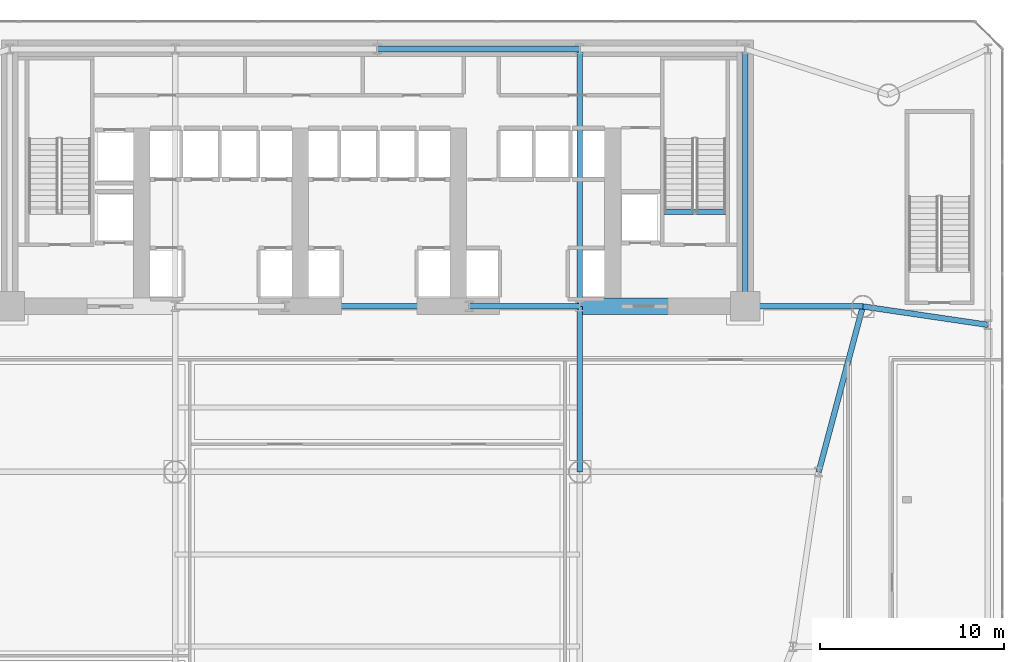
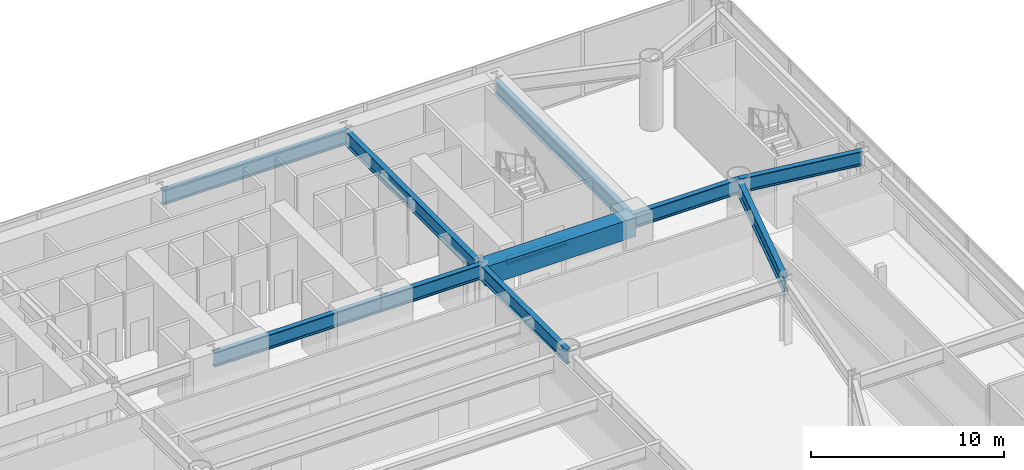
# One storey, part 8 of 24: 11 beams.
"""IFC4 building model written with IfcOpenShell, lengths in metres."""

from ifc_helpers import new_model, si_unit, direction, frame, origin, origin_2d, place, context, subcontext, project, spatial, rectangle, i_section, extrude, source, transform, mapped, material, material_profile, profile_set, type_object, element, save


model = new_model("IFC4")

# Units and contexts
model_context = context("Model", 3, precision=1e-05, world=origin(), true_north=direction((0.0, 1.0)))
body_context = subcontext(model_context, "Body", "Model", "MODEL_VIEW")
ifc_project = project(units=[si_unit("LENGTHUNIT", "METRE"), si_unit("AREAUNIT", "SQUARE_METRE"), si_unit("VOLUMEUNIT", "CUBIC_METRE"), si_unit("PLANEANGLEUNIT", "RADIAN"), si_unit("MASSUNIT", "GRAM", prefix="KILO")], contexts=[model_context])

# Site, building, storey
site_placement = place(None, origin())
site = spatial("IfcSite", under=ifc_project, at=site_placement, CompositionType="ELEMENT")
building_placement = place(site_placement, origin())
building = spatial("IfcBuilding", under=site, at=building_placement, Name="Vaeldorn Concourse Tower", CompositionType="ELEMENT")
storey_placement = place(building_placement, frame((0.0, 0.0, 10.0)))
storey = spatial("IfcBuildingStorey", under=building, at=storey_placement, Name="L02", CompositionType="ELEMENT", Elevation=10.0)

# Beams
ifc_material_1 = material(Name="Concrete C60/75", Category="concrete")
ifc_material_profile_1 = material_profile(ifc_material_1, rectangle(XDim=0.89990234375, YDim=1.199951171875, at=origin_2d()), Name="RC 900x1200")
ifc_profile_set_1 = profile_set([ifc_material_profile_1], Name="Concrete C60/75")
beam_type_1 = type_object("IfcBeamType", Name="BM-CB-RC900", PredefinedType="BEAM", material=ifc_profile_set_1)
shared_shape_1 = source(origin(), body_context, "Body", "SweptSolid", [
    extrude(rectangle(XDim=0.89990234375, YDim=1.199951171875, at=origin_2d()), origin(), (0.0, 0.0, 1.0), 9.0),
])
beam_1_placement = place(storey_placement, frame((45.0, 36.5, 3.52001953125), z_axis=(1.0, 0.0, 0.0), x_axis=(0.0, 1.0, 0.0)))
element("IfcBeam", 1, at=beam_1_placement, inside=storey, type_object=beam_type_1, Name="Core Coupling Beam L02-2", PredefinedType="BEAM", context=body_context, shape_type="MappedRepresentation", body=[
    mapped(shared_shape_1, transform((0.0, 0.0, 0.0), scale=1.0)),
])
ifc_material_2 = material(Name="Steel S355", Category="steel")
ifc_material_profile_2 = material_profile(ifc_material_2, i_section(OverallWidth=0.300048828125, OverallDepth=0.340087890625, WebThickness=0.011962890625, FlangeThickness=0.021484375, FilletRadius=0.027099609375, at=origin_2d()), Name="HEB 340")
ifc_profile_set_2 = profile_set([ifc_material_profile_2], Name="Steel S355")
beam_type_2 = type_object("IfcBeamType", Name="BM-ST-TRIM", PredefinedType="BEAM", material=ifc_profile_set_2)
shared_shape_2 = source(origin(), body_context, "Body", "SweptSolid", [
    extrude(i_section(OverallWidth=0.300048828125, OverallDepth=0.340087890625, WebThickness=0.011962890625, FlangeThickness=0.021484375, FilletRadius=0.027099609375, at=origin_2d()), origin(), (0.0, 0.0, 1.0), 3.590087890625),
])
beam_2_placement = place(storey_placement, frame((49.47998046875, 41.639892578125, -0.449951171875), z_axis=(1.0, 0.0, 0.0), x_axis=(0.0, 1.0, 0.0)))
element("IfcBeam", 2, at=beam_2_placement, inside=storey, type_object=beam_type_2, Name="Stair Landing Trimmer Beam ST-2 L02", PredefinedType="BEAM", context=body_context, shape_type="MappedRepresentation", body=[
    mapped(shared_shape_2, transform((0.0, 0.0, 0.0), scale=1.0)),
])
ifc_material_profile_3 = material_profile(ifc_material_2, i_section(OverallWidth=0.302001953125, OverallDepth=0.909912109375, WebThickness=0.02099609375, FlangeThickness=0.0400390625, FilletRadius=0.030029296875, at=origin_2d()), Name="HEM 900")
ifc_profile_set_3 = profile_set([ifc_material_profile_3], Name="Steel S355")
beam_type_3 = type_object("IfcBeamType", Name="BM-PG-HEM900", PredefinedType="BEAM", material=ifc_profile_set_3)
shared_shape_3 = source(origin(), body_context, "Body", "SweptSolid", [
    extrude(i_section(OverallWidth=0.302001953125, OverallDepth=0.909912109375, WebThickness=0.02099609375, FlangeThickness=0.0400390625, FilletRadius=0.030029296875, at=origin_2d()), origin(), (0.0, 0.0, 1.0), 6.0),
])
beam_3_placement = place(storey_placement, frame((39.0, 36.5, 3.6650390625), z_axis=(1.0, 0.0, 0.0), x_axis=(0.0, 1.0, 0.0)))
element("IfcBeam", 3, at=beam_3_placement, inside=storey, type_object=beam_type_3, Name="Beam BM-L02-C-FC4-C-FC5", PredefinedType="BEAM", context=body_context, shape_type="MappedRepresentation", body=[
    mapped(shared_shape_3, transform((0.0, 0.0, 0.0), scale=1.0)),
])
shared_shape_4 = source(origin(), body_context, "Body", "SweptSolid", [
    extrude(i_section(OverallWidth=0.302001953125, OverallDepth=0.909912109375, WebThickness=0.02099609375, FlangeThickness=0.0400390625, FilletRadius=0.030029296875, at=origin_2d()), origin(), (0.0, 0.0, 1.0), 10.0),
])
beam_4_placement = place(storey_placement, frame((29.0, 36.5, 3.6650390625), z_axis=(1.0, 0.0, 0.0), x_axis=(0.0, 1.0, 0.0)))
element("IfcBeam", 4, at=beam_4_placement, inside=storey, type_object=beam_type_3, Name="Beam BM-L02-C-FC3-C-FC4", PredefinedType="BEAM", context=body_context, shape_type="MappedRepresentation", body=[
    mapped(shared_shape_4, transform((0.0, 0.0, 0.0), scale=1.0)),
])
shared_shape_5 = source(origin(), body_context, "Body", "SweptSolid", [
    extrude(i_section(OverallWidth=0.302001953125, OverallDepth=0.909912109375, WebThickness=0.02099609375, FlangeThickness=0.0400390625, FilletRadius=0.030029296875, at=origin_2d()), origin(), (0.0, 0.0, 1.0), 9.0),
])
beam_5_placement = place(storey_placement, frame((45.0, 27.5, 3.6650390625), z_axis=(0.0, 1.0, 0.0), x_axis=(-1.0, 0.0, 0.0)))
element("IfcBeam", 5, at=beam_5_placement, inside=storey, type_object=beam_type_3, Name="Beam BM-L02-C-TW4-C-FC5", PredefinedType="BEAM", context=body_context, shape_type="MappedRepresentation", body=[
    mapped(shared_shape_5, transform((0.0, 0.0, 0.0), scale=1.0)),
])
shared_shape_6 = source(origin(), body_context, "Body", "SweptSolid", [
    extrude(i_section(OverallWidth=0.302001953125, OverallDepth=0.909912109375, WebThickness=0.02099609375, FlangeThickness=0.0400390625, FilletRadius=0.030029296875, at=origin_2d()), origin(), (0.0, 0.0, 1.0), 11.0),
])
beam_6_placement = place(storey_placement, frame((34.0, 50.5, 3.6650390625), z_axis=(1.0, 0.0, 0.0), x_axis=(0.0, 1.0, 0.0)))
element("IfcBeam", 6, at=beam_6_placement, inside=storey, type_object=beam_type_3, Name="Beam BM-L02-C-HC3-C-HC4", PredefinedType="BEAM", context=body_context, shape_type="MappedRepresentation", body=[
    mapped(shared_shape_6, transform((0.0, 0.0, 0.0), scale=1.0)),
])
shared_shape_7 = source(origin(), body_context, "Body", "SweptSolid", [
    extrude(i_section(OverallWidth=0.302001953125, OverallDepth=0.909912109375, WebThickness=0.02099609375, FlangeThickness=0.0400390625, FilletRadius=0.030029296875, at=origin_2d()), origin(), (0.0, 0.0, 1.0), 14.0),
])
for number, where, z_axis, x_axis, name in (
    (7, (45.0, 36.5, 3.6650390625), (0.0, 1.0, 0.0), (-1.0, 0.0, 0.0), "Beam BM-L02-C-FC5-C-HC4"),
    (8, (54.0, 36.5, 3.6650390625), (0.0, 1.0, 0.0), (-1.0, 0.0, 0.0), "Beam BM-L02-C-FC6-C-HC5"),
):
    element("IfcBeam", number, at=place(storey_placement, frame(where, z_axis=z_axis, x_axis=x_axis)), inside=storey, type_object=beam_type_3, Name=name, PredefinedType="BEAM", context=body_context, shape_type="MappedRepresentation", body=[
        mapped(shared_shape_7, transform((0.0, 0.0, 0.0), scale=1.0)),
    ])
shared_shape_8 = source(origin(), body_context, "Body", "SweptSolid", [
    extrude(i_section(OverallWidth=0.302001953125, OverallDepth=0.909912109375, WebThickness=0.02099609375, FlangeThickness=0.0400390625, FilletRadius=0.030029296875, at=origin_2d()), origin(), (0.0, 0.0, 1.0), 6.873291015625),
])
beam_7_placement = place(storey_placement, frame((60.39990234375, 36.5, 3.6650390625), z_axis=(0.989359285749, -0.145492967882, 0.0), x_axis=(0.145492967882, 0.989359285749, 0.0)))
element("IfcBeam", 9, at=beam_7_placement, inside=storey, type_object=beam_type_3, Name="Beam BM-L02-C-NE2-C-PE3", PredefinedType="BEAM", context=body_context, shape_type="MappedRepresentation", body=[
    mapped(shared_shape_8, transform((0.0, 0.0, 0.0), scale=1.0)),
])
shared_shape_9 = source(origin(), body_context, "Body", "SweptSolid", [
    extrude(i_section(OverallWidth=0.302001953125, OverallDepth=0.909912109375, WebThickness=0.02099609375, FlangeThickness=0.0400390625, FilletRadius=0.030029296875, at=origin_2d()), origin(), (0.0, 0.0, 1.0), 6.39990234375),
])
beam_8_placement = place(storey_placement, frame((54.0, 36.5, 3.6650390625), z_axis=(1.0, 0.0, 0.0), x_axis=(0.0, 1.0, 0.0)))
element("IfcBeam", 10, at=beam_8_placement, inside=storey, type_object=beam_type_3, Name="Beam BM-L02-C-FC6-C-NE2", PredefinedType="BEAM", context=body_context, shape_type="MappedRepresentation", body=[
    mapped(shared_shape_9, transform((0.0, 0.0, 0.0), scale=1.0)),
])
shared_shape_10 = source(origin(), body_context, "Body", "SweptSolid", [
    extrude(i_section(OverallWidth=0.302001953125, OverallDepth=0.909912109375, WebThickness=0.02099609375, FlangeThickness=0.0400390625, FilletRadius=0.030029296875, at=origin_2d()), origin(), (0.0, 0.0, 1.0), 9.314453125),
])
beam_9_placement = place(storey_placement, frame((60.39990234375, 36.5, 3.6650390625), z_axis=(-0.257652862255, -0.966237549763, 0.0), x_axis=(0.966237549763, -0.257652862255, 0.0)))
element("IfcBeam", 11, at=beam_9_placement, inside=storey, type_object=beam_type_3, Name="Beam BM-L02-C-NE2-C-FLE1", PredefinedType="BEAM", context=body_context, shape_type="MappedRepresentation", body=[
    mapped(shared_shape_10, transform((0.0, 0.0, 0.0), scale=1.0)),
])

save(model, "model.ifc")
